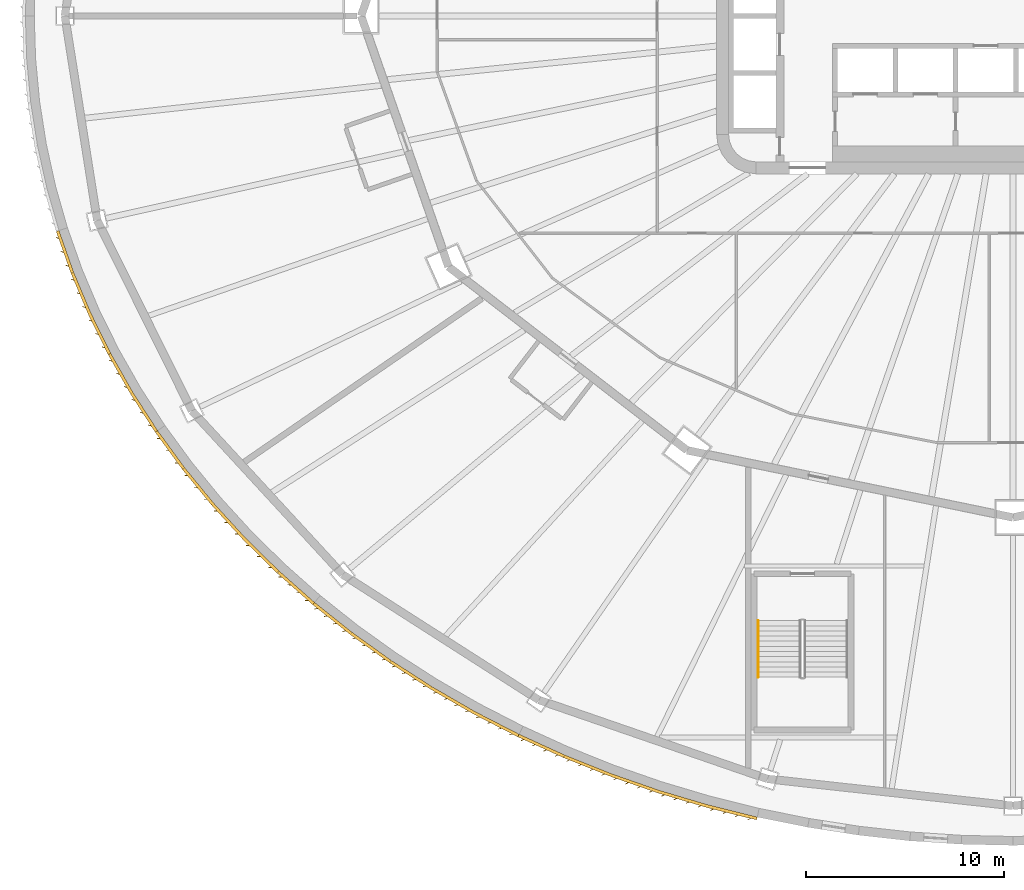
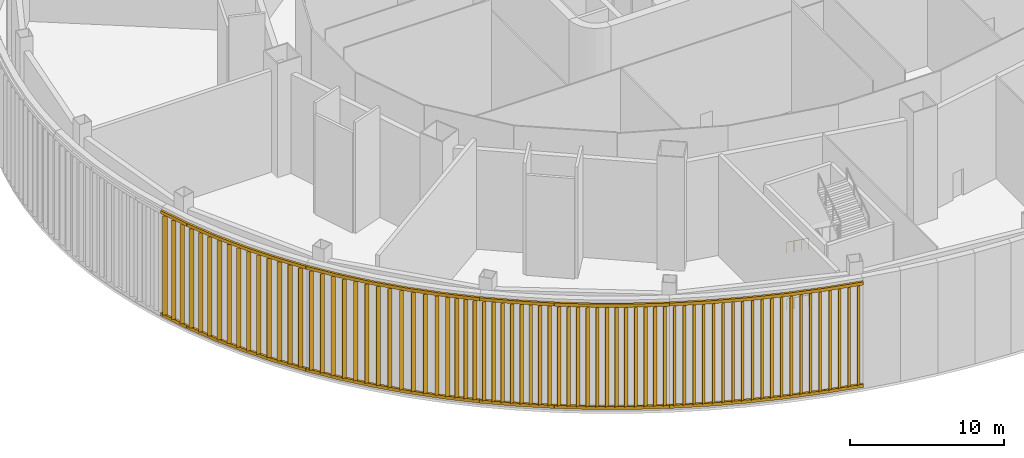
# One storey, part 27 of 35: 4 shading devices, 2 railings.
"""IFC4 building model written with IfcOpenShell, lengths in metres."""

from ifc_helpers import new_model, si_unit, direction, frame, origin, origin_2d, place, context, subcontext, project, spatial, rectangle, circle, extrude, material, type_object, element, save


model = new_model("IFC4")

# Units and contexts
model_context = context("Model", 3, precision=1e-05, world=origin(), true_north=direction((0.0, 1.0)))
body_context = subcontext(model_context, "Body", "Model", "MODEL_VIEW")
ifc_project = project(units=[si_unit("LENGTHUNIT", "METRE"), si_unit("AREAUNIT", "SQUARE_METRE"), si_unit("VOLUMEUNIT", "CUBIC_METRE"), si_unit("PLANEANGLEUNIT", "RADIAN"), si_unit("MASSUNIT", "GRAM", prefix="KILO")], contexts=[model_context])

# Site, building, storey
site_placement = place(None, origin())
site = spatial("IfcSite", under=ifc_project, at=site_placement, CompositionType="ELEMENT")
building_placement = place(site_placement, origin())
building = spatial("IfcBuilding", under=site, at=building_placement, Name="Sahrelin Media Tower", CompositionType="ELEMENT")
storey_placement = place(building_placement, frame((0.0, 0.0, 8.0)))
storey = spatial("IfcBuildingStorey", under=building, at=storey_placement, Name="L01", CompositionType="ELEMENT", Elevation=8.0)

# Railings
ifc_material_1 = material(Name="Steel S355", Category="steel")
railing_type = type_object("IfcRailingType", Name="Stair handrail 900", PredefinedType="HANDRAIL", material=ifc_material_1)
for number, where, name in (
    (1, (-12.89990234375, -30.625, 0.1875), "L01 PS3 stair handrail 1"),
    (2, (-12.89990234375, -30.625, 4.6875), "L01 PS3 stair handrail 3"),
):
    element("IfcRailing", number, at=place(storey_placement, frame(where)), inside=storey, type_object=railing_type, Name=name, PredefinedType="HANDRAIL", context=body_context, shape_type="SweptSolid", body=[
        extrude(circle(Radius=0.02392578125, at=origin_2d()), frame((0.0, 0.0, 0.8759765625), z_axis=(0.0, -0.811100754333, 0.584906459462), x_axis=(1.0, 0.0, 0.0)), (0.0, 0.0, 1.0), 3.526123046875),
        extrude(circle(Radius=0.02099609375, at=origin_2d()), origin(), (0.0, 0.0, 1.0), 0.851806640625),
        extrude(circle(Radius=0.02099609375, at=origin_2d()), frame((0.0, -0.953369140625, 0.6875)), (0.0, 0.0, 1.0), 0.851806640625),
        extrude(circle(Radius=0.02099609375, at=origin_2d()), frame((0.0, -1.90673828125, 1.375)), (0.0, 0.0, 1.0), 0.851806640625),
        extrude(circle(Radius=0.02099609375, at=origin_2d()), frame((0.0, -2.860107421875, 2.0625)), (0.0, 0.0, 1.0), 0.851806640625),
    ])

# Shading devices
ifc_material_2 = material(Name="Champagne anodised aluminium 6063-T6", Category="aluminium")
shading_device_type = type_object("IfcShadingDeviceType", Name="Studio facade screen", PredefinedType="USERDEFINED", material=ifc_material_2)
shading_device_1_placement = place(storey_placement, frame((-48.29638671875, -10.870361328125, 0.0), z_axis=(0.0, 0.0, 1.0), x_axis=(-0.44228697484, 0.896873587462, 0.0)))
element("IfcShadingDevice", 3, at=shading_device_1_placement, inside=storey, type_object=shading_device_type, Name="L01:SCREEN:L01-P13", ObjectType="SCREEN", PredefinedType="USERDEFINED", context=body_context, shape_type="SweptSolid", body=[
    extrude(rectangle(XDim=0.14990234375, YDim=0.25, at=origin_2d()), frame((0.0087890625, 0.074462890625, 0.35009765625), z_axis=(-0.992914515953, 0.118830820961, 0.0), x_axis=(-0.118830820961, -0.992914515953, 0.0)), (0.0, 0.0, 1.0), 2.2353515625),
    extrude(rectangle(XDim=0.14990234375, YDim=0.25, at=origin_2d()), frame((0.0087890625, 0.074462890625, 8.449951171875), z_axis=(-0.992914515953, 0.118830820961, 0.0), x_axis=(-0.118830820961, -0.992914515953, 0.0)), (0.0, 0.0, 1.0), 2.2353515625),
    extrude(rectangle(XDim=0.300048828125, YDim=0.0400390625, at=origin_2d()), frame((-0.35205078125, 0.193115234375, 0.47509765625), z_axis=(0.0, 0.0, 1.0), x_axis=(0.707106781187, 0.707106781187, 0.0)), (0.0, 0.0, 1.0), 7.849853515625),
    extrude(rectangle(XDim=0.300048828125, YDim=0.0400390625, at=origin_2d()), frame((-1.092041015625, 0.28173828125, 0.47509765625), z_axis=(0.0, 0.0, 1.0), x_axis=(0.707106781187, 0.707106781187, 0.0)), (0.0, 0.0, 1.0), 7.849853515625),
    extrude(rectangle(XDim=0.300048828125, YDim=0.0400390625, at=origin_2d()), frame((-1.83203125, 0.370361328125, 0.47509765625), z_axis=(0.0, 0.0, 1.0), x_axis=(0.707106781187, 0.707106781187, 0.0)), (0.0, 0.0, 1.0), 7.849853515625),
    extrude(rectangle(XDim=0.14990234375, YDim=0.25, at=origin_2d()), frame((-2.21533203125, 0.340576171875, 0.35009765625), z_axis=(-0.998255232119, 0.059046520199, 0.0), x_axis=(-0.059046520199, -0.998255232119, 0.0)), (0.0, 0.0, 1.0), 2.249267578125),
    extrude(rectangle(XDim=0.14990234375, YDim=0.25, at=origin_2d()), frame((-2.21533203125, 0.340576171875, 8.449951171875), z_axis=(-0.998255232119, 0.059046520199, 0.0), x_axis=(-0.059046520199, -0.998255232119, 0.0)), (0.0, 0.0, 1.0), 2.249267578125),
    extrude(rectangle(XDim=0.300048828125, YDim=0.0400390625, at=origin_2d()), frame((-2.585205078125, 0.4375, 0.47509765625), z_axis=(0.0, 0.0, 1.0), x_axis=(0.707106781187, 0.707106781187, 0.0)), (0.0, 0.0, 1.0), 7.849853515625),
    extrude(rectangle(XDim=0.300048828125, YDim=0.0400390625, at=origin_2d()), frame((-3.33349609375, 0.481689453125, 0.47509765625), z_axis=(0.0, 0.0, 1.0), x_axis=(0.707106781187, 0.707106781187, 0.0)), (0.0, 0.0, 1.0), 7.849853515625),
    extrude(rectangle(XDim=0.300048828125, YDim=0.0400390625, at=origin_2d()), frame((-4.08203125, 0.526123046875, 0.47509765625), z_axis=(0.0, 0.0, 1.0), x_axis=(0.707106781187, 0.707106781187, 0.0)), (0.0, 0.0, 1.0), 7.849853515625),
    extrude(rectangle(XDim=0.14990234375, YDim=0.25, at=origin_2d()), frame((-4.465087890625, 0.4736328125, 0.35009765625), z_axis=(-1.0, 0.0, 0.0), x_axis=(0.0, -1.0, 0.0)), (0.0, 0.0, 1.0), 2.26513671875),
    extrude(rectangle(XDim=0.14990234375, YDim=0.25, at=origin_2d()), frame((-4.465087890625, 0.4736328125, 8.449951171875), z_axis=(-1.0, 0.0, 0.0), x_axis=(0.0, -1.0, 0.0)), (0.0, 0.0, 1.0), 2.26513671875),
    extrude(rectangle(XDim=0.300048828125, YDim=0.0400390625, at=origin_2d()), frame((-4.8427734375, 0.548583984375, 0.47509765625), z_axis=(0.0, 0.0, 1.0), x_axis=(0.707106781187, 0.707106781187, 0.0)), (0.0, 0.0, 1.0), 7.849853515625),
    extrude(rectangle(XDim=0.300048828125, YDim=0.0400390625, at=origin_2d()), frame((-5.59765625, 0.548583984375, 0.47509765625), z_axis=(0.0, 0.0, 1.0), x_axis=(0.707106781187, 0.707106781187, 0.0)), (0.0, 0.0, 1.0), 7.849853515625),
    extrude(rectangle(XDim=0.300048828125, YDim=0.0400390625, at=origin_2d()), frame((-6.352783203125, 0.548583984375, 0.47509765625), z_axis=(0.0, 0.0, 1.0), x_axis=(0.707106781187, 0.707106781187, 0.0)), (0.0, 0.0, 1.0), 7.849853515625),
    extrude(rectangle(XDim=0.14990234375, YDim=0.25, at=origin_2d()), frame((-6.734619140625, 0.473388671875, 0.35009765625), z_axis=(-0.998305220506, -0.058195246459, 0.0), x_axis=(0.058195246459, -0.998305220506, 0.0)), (0.0, 0.0, 1.0), 2.2822265625),
    extrude(rectangle(XDim=0.14990234375, YDim=0.25, at=origin_2d()), frame((-6.734619140625, 0.473388671875, 8.449951171875), z_axis=(-0.998305220506, -0.058195246459, 0.0), x_axis=(0.058195246459, -0.998305220506, 0.0)), (0.0, 0.0, 1.0), 2.2822265625),
    extrude(rectangle(XDim=0.300048828125, YDim=0.0400390625, at=origin_2d()), frame((-7.11865234375, 0.526123046875, 0.47509765625), z_axis=(0.0, 0.0, 1.0), x_axis=(0.707106781187, 0.707106781187, 0.0)), (0.0, 0.0, 1.0), 7.849853515625),
    extrude(rectangle(XDim=0.300048828125, YDim=0.0400390625, at=origin_2d()), frame((-7.878173828125, 0.481689453125, 0.47509765625), z_axis=(0.0, 0.0, 1.0), x_axis=(0.707106781187, 0.707106781187, 0.0)), (0.0, 0.0, 1.0), 7.849853515625),
    extrude(rectangle(XDim=0.300048828125, YDim=0.0400390625, at=origin_2d()), frame((-8.6376953125, 0.4375, 0.47509765625), z_axis=(0.0, 0.0, 1.0), x_axis=(0.707106781187, 0.707106781187, 0.0)), (0.0, 0.0, 1.0), 7.849853515625),
    extrude(rectangle(XDim=0.14990234375, YDim=0.25, at=origin_2d()), frame((-9.017333984375, 0.340087890625, 0.35009765625), z_axis=(-0.993314738525, -0.115437559871, 0.0), x_axis=(0.115437559871, -0.993314738525, 0.0)), (0.0, 0.0, 1.0), 2.301025390625),
    extrude(rectangle(XDim=0.14990234375, YDim=0.25, at=origin_2d()), frame((-9.017333984375, 0.340087890625, 8.449951171875), z_axis=(-0.993314738525, -0.115437559871, 0.0), x_axis=(0.115437559871, -0.993314738525, 0.0)), (0.0, 0.0, 1.0), 2.301025390625),
    extrude(rectangle(XDim=0.300048828125, YDim=0.0400390625, at=origin_2d()), frame((-9.406982421875, 0.370361328125, 0.47509765625), z_axis=(0.0, 0.0, 1.0), x_axis=(0.707106781187, 0.707106781187, 0.0)), (0.0, 0.0, 1.0), 7.849853515625),
    extrude(rectangle(XDim=0.300048828125, YDim=0.0400390625, at=origin_2d()), frame((-10.168701171875, 0.28173828125, 0.47509765625), z_axis=(0.0, 0.0, 1.0), x_axis=(0.707106781187, 0.707106781187, 0.0)), (0.0, 0.0, 1.0), 7.849853515625),
    extrude(rectangle(XDim=0.300048828125, YDim=0.0400390625, at=origin_2d()), frame((-10.9306640625, 0.193359375, 0.47509765625), z_axis=(0.0, 0.0, 1.0), x_axis=(0.707106781187, 0.707106781187, 0.0)), (0.0, 0.0, 1.0), 7.849853515625),
])
shading_device_2_placement = place(storey_placement, frame((-43.30126953125, -21.0, 0.0), z_axis=(0.0, 0.0, 1.0), x_axis=(-0.674432963717, 0.738336087058, 0.0)))
element("IfcShadingDevice", 4, at=shading_device_2_placement, inside=storey, type_object=shading_device_type, Name="L01:SCREEN:L01-P14", ObjectType="SCREEN", PredefinedType="USERDEFINED", context=body_context, shape_type="SweptSolid", body=[
    extrude(rectangle(XDim=0.14990234375, YDim=0.25, at=origin_2d()), frame((0.00830078125, 0.074462890625, 0.35009765625), z_axis=(-0.993963012616, 0.109715675961, 0.0), x_axis=(-0.109715675961, -0.993963012616, 0.0)), (0.0, 0.0, 1.0), 2.32080078125),
    extrude(rectangle(XDim=0.14990234375, YDim=0.25, at=origin_2d()), frame((0.00830078125, 0.074462890625, 8.449951171875), z_axis=(-0.993963012616, 0.109715675961, 0.0), x_axis=(-0.109715675961, -0.993963012616, 0.0)), (0.0, 0.0, 1.0), 2.32080078125),
    extrude(rectangle(XDim=0.300048828125, YDim=0.0400390625, at=origin_2d()), frame((-0.367919921875, 0.19140625, 0.47509765625), z_axis=(0.0, 0.0, 1.0), x_axis=(0.707106781187, 0.707106781187, 0.0)), (0.0, 0.0, 1.0), 7.849853515625),
    extrude(rectangle(XDim=0.300048828125, YDim=0.0400390625, at=origin_2d()), frame((-1.136962890625, 0.2763671875, 0.47509765625), z_axis=(0.0, 0.0, 1.0), x_axis=(0.707106781187, 0.707106781187, 0.0)), (0.0, 0.0, 1.0), 7.849853515625),
    extrude(rectangle(XDim=0.300048828125, YDim=0.0400390625, at=origin_2d()), frame((-1.90576171875, 0.361083984375, 0.47509765625), z_axis=(0.0, 0.0, 1.0), x_axis=(0.707106781187, 0.707106781187, 0.0)), (0.0, 0.0, 1.0), 7.849853515625),
    extrude(rectangle(XDim=0.14990234375, YDim=0.25, at=origin_2d()), frame((-2.302490234375, 0.32958984375, 0.35009765625), z_axis=(-0.998517872109, 0.054424802051, 0.0), x_axis=(-0.054424802051, -0.998517872109, 0.0)), (0.0, 0.0, 1.0), 2.341552734375),
    extrude(rectangle(XDim=0.14990234375, YDim=0.25, at=origin_2d()), frame((-2.302490234375, 0.32958984375, 8.449951171875), z_axis=(-0.998517872109, 0.054424802051, 0.0), x_axis=(-0.054424802051, -0.998517872109, 0.0)), (0.0, 0.0, 1.0), 2.341552734375),
    extrude(rectangle(XDim=0.300048828125, YDim=0.0400390625, at=origin_2d()), frame((-2.688232421875, 0.425537109375, 0.47509765625), z_axis=(0.0, 0.0, 1.0), x_axis=(0.707106781187, 0.707106781187, 0.0)), (0.0, 0.0, 1.0), 7.849853515625),
    extrude(rectangle(XDim=0.300048828125, YDim=0.0400390625, at=origin_2d()), frame((-3.467529296875, 0.468017578125, 0.47509765625), z_axis=(0.0, 0.0, 1.0), x_axis=(0.707106781187, 0.707106781187, 0.0)), (0.0, 0.0, 1.0), 7.849853515625),
    extrude(rectangle(XDim=0.300048828125, YDim=0.0400390625, at=origin_2d()), frame((-4.246826171875, 0.510498046875, 0.47509765625), z_axis=(0.0, 0.0, 1.0), x_axis=(0.707106781187, 0.707106781187, 0.0)), (0.0, 0.0, 1.0), 7.849853515625),
    extrude(rectangle(XDim=0.14990234375, YDim=0.25, at=origin_2d()), frame((-4.644775390625, 0.45703125, 0.35009765625), z_axis=(-0.999999994661, 0.000103337811, 0.0), x_axis=(-0.000103337811, -0.999999994661, 0.0)), (0.0, 0.0, 1.0), 2.362548828125),
    extrude(rectangle(XDim=0.14990234375, YDim=0.25, at=origin_2d()), frame((-4.644775390625, 0.45703125, 8.449951171875), z_axis=(-0.999999994661, 0.000103337811, 0.0), x_axis=(-0.000103337811, -0.999999994661, 0.0)), (0.0, 0.0, 1.0), 2.362548828125),
    extrude(rectangle(XDim=0.300048828125, YDim=0.0400390625, at=origin_2d()), frame((-5.03857421875, 0.531982421875, 0.47509765625), z_axis=(0.0, 0.0, 1.0), x_axis=(0.707106781187, 0.707106781187, 0.0)), (0.0, 0.0, 1.0), 7.849853515625),
    extrude(rectangle(XDim=0.300048828125, YDim=0.0400390625, at=origin_2d()), frame((-5.826171875, 0.531982421875, 0.47509765625), z_axis=(0.0, 0.0, 1.0), x_axis=(0.707106781187, 0.707106781187, 0.0)), (0.0, 0.0, 1.0), 7.849853515625),
    extrude(rectangle(XDim=0.300048828125, YDim=0.0400390625, at=origin_2d()), frame((-6.61376953125, 0.5322265625, 0.47509765625), z_axis=(0.0, 0.0, 1.0), x_axis=(0.707106781187, 0.707106781187, 0.0)), (0.0, 0.0, 1.0), 7.849853515625),
    extrude(rectangle(XDim=0.14990234375, YDim=0.25, at=origin_2d()), frame((-7.011474609375, 0.45703125, 0.35009765625), z_axis=(-0.998570768026, -0.053445497889, 0.0), x_axis=(0.053445497889, -0.998570768026, 0.0)), (0.0, 0.0, 1.0), 2.384521484375),
    extrude(rectangle(XDim=0.14990234375, YDim=0.25, at=origin_2d()), frame((-7.011474609375, 0.45703125, 8.449951171875), z_axis=(-0.998570768026, -0.053445497889, 0.0), x_axis=(0.053445497889, -0.998570768026, 0.0)), (0.0, 0.0, 1.0), 2.384521484375),
    extrude(rectangle(XDim=0.300048828125, YDim=0.0400390625, at=origin_2d()), frame((-7.412353515625, 0.5107421875, 0.47509765625), z_axis=(0.0, 0.0, 1.0), x_axis=(0.707106781187, 0.707106781187, 0.0)), (0.0, 0.0, 1.0), 7.849853515625),
    extrude(rectangle(XDim=0.300048828125, YDim=0.0400390625, at=origin_2d()), frame((-8.2060546875, 0.46826171875, 0.47509765625), z_axis=(0.0, 0.0, 1.0), x_axis=(0.707106781187, 0.707106781187, 0.0)), (0.0, 0.0, 1.0), 7.849853515625),
    extrude(rectangle(XDim=0.300048828125, YDim=0.0400390625, at=origin_2d()), frame((-8.999755859375, 0.42578125, 0.47509765625), z_axis=(0.0, 0.0, 1.0), x_axis=(0.707106781187, 0.707106781187, 0.0)), (0.0, 0.0, 1.0), 7.849853515625),
    extrude(rectangle(XDim=0.14990234375, YDim=0.25, at=origin_2d()), frame((-9.396484375, 0.3291015625, 0.35009765625), z_axis=(-0.994395950407, -0.105719883718, 0.0), x_axis=(0.105719883718, -0.994395950407, 0.0)), (0.0, 0.0, 1.0), 2.40625),
    extrude(rectangle(XDim=0.14990234375, YDim=0.25, at=origin_2d()), frame((-9.396484375, 0.3291015625, 8.449951171875), z_axis=(-0.994395950407, -0.105719883718, 0.0), x_axis=(0.105719883718, -0.994395950407, 0.0)), (0.0, 0.0, 1.0), 2.40625),
    extrude(rectangle(XDim=0.300048828125, YDim=0.0400390625, at=origin_2d()), frame((-9.70361328125, 0.3720703125, 0.47509765625), z_axis=(0.0, 0.0, 1.0), x_axis=(0.707106781187, 0.707106781187, 0.0)), (0.0, 0.0, 1.0), 7.849853515625),
    extrude(rectangle(XDim=0.300048828125, YDim=0.0400390625, at=origin_2d()), frame((-10.3017578125, 0.308349609375, 0.47509765625), z_axis=(0.0, 0.0, 1.0), x_axis=(0.707106781187, 0.707106781187, 0.0)), (0.0, 0.0, 1.0), 7.849853515625),
    extrude(rectangle(XDim=0.300048828125, YDim=0.0400390625, at=origin_2d()), frame((-10.89990234375, 0.24462890625, 0.47509765625), z_axis=(0.0, 0.0, 1.0), x_axis=(0.707106781187, 0.707106781187, 0.0)), (0.0, 0.0, 1.0), 7.849853515625),
    extrude(rectangle(XDim=0.300048828125, YDim=0.0400390625, at=origin_2d()), frame((-11.498291015625, 0.180908203125, 0.47509765625), z_axis=(0.0, 0.0, 1.0), x_axis=(0.707106781187, 0.707106781187, 0.0)), (0.0, 0.0, 1.0), 7.849853515625),
])
shading_device_3_placement = place(storey_placement, frame((-35.355224609375, -29.698486328125, 0.0), z_axis=(0.0, 0.0, 1.0), x_axis=(-0.840505257377, 0.541803388991, 0.0)))
element("IfcShadingDevice", 5, at=shading_device_3_placement, inside=storey, type_object=shading_device_type, Name="L01:SCREEN:L01-P15", ObjectType="SCREEN", PredefinedType="USERDEFINED", context=body_context, shape_type="SweptSolid", body=[
    extrude(rectangle(XDim=0.14990234375, YDim=0.25, at=origin_2d()), frame((0.007568359375, 0.07470703125, 0.35009765625), z_axis=(-0.994963253127, 0.100240335829, 0.0), x_axis=(-0.100240335829, -0.994963253127, 0.0)), (0.0, 0.0, 1.0), 2.42822265625),
    extrude(rectangle(XDim=0.14990234375, YDim=0.25, at=origin_2d()), frame((0.007568359375, 0.07470703125, 8.449951171875), z_axis=(-0.994963253127, 0.100240335829, 0.0), x_axis=(-0.100240335829, -0.994963253127, 0.0)), (0.0, 0.0, 1.0), 2.42822265625),
    extrude(rectangle(XDim=0.300048828125, YDim=0.0400390625, at=origin_2d()), frame((-0.287109375, 0.1796875, 0.47509765625), z_axis=(0.0, 0.0, 1.0), x_axis=(0.707106781187, 0.707106781187, 0.0)), (0.0, 0.0, 1.0), 7.849853515625),
    extrude(rectangle(XDim=0.300048828125, YDim=0.0400390625, at=origin_2d()), frame((-0.89111328125, 0.240478515625, 0.47509765625), z_axis=(0.0, 0.0, 1.0), x_axis=(0.707106781187, 0.707106781187, 0.0)), (0.0, 0.0, 1.0), 7.849853515625),
    extrude(rectangle(XDim=0.300048828125, YDim=0.0400390625, at=origin_2d()), frame((-1.4951171875, 0.301513671875, 0.47509765625), z_axis=(0.0, 0.0, 1.0), x_axis=(0.707106781187, 0.707106781187, 0.0)), (0.0, 0.0, 1.0), 7.849853515625),
    extrude(rectangle(XDim=0.300048828125, YDim=0.0400390625, at=origin_2d()), frame((-2.09912109375, 0.3623046875, 0.47509765625), z_axis=(0.0, 0.0, 1.0), x_axis=(0.707106781187, 0.707106781187, 0.0)), (0.0, 0.0, 1.0), 7.849853515625),
    extrude(rectangle(XDim=0.14990234375, YDim=0.25, at=origin_2d()), frame((-2.412353515625, 0.318359375, 0.35009765625), z_axis=(-0.99876250847, 0.049733808175, 0.0), x_axis=(-0.049733808175, -0.99876250847, 0.0)), (0.0, 0.0, 1.0), 2.449462890625),
    extrude(rectangle(XDim=0.14990234375, YDim=0.25, at=origin_2d()), frame((-2.412353515625, 0.318359375, 8.449951171875), z_axis=(-0.99876250847, 0.049733808175, 0.0), x_axis=(-0.049733808175, -0.99876250847, 0.0)), (0.0, 0.0, 1.0), 2.449462890625),
    extrude(rectangle(XDim=0.300048828125, YDim=0.0400390625, at=origin_2d()), frame((-2.71435546875, 0.40869140625, 0.47509765625), z_axis=(0.0, 0.0, 1.0), x_axis=(0.707106781187, 0.707106781187, 0.0)), (0.0, 0.0, 1.0), 7.849853515625),
    extrude(rectangle(XDim=0.300048828125, YDim=0.0400390625, at=origin_2d()), frame((-3.326171875, 0.43896484375, 0.47509765625), z_axis=(0.0, 0.0, 1.0), x_axis=(0.707106781187, 0.707106781187, 0.0)), (0.0, 0.0, 1.0), 7.849853515625),
    extrude(rectangle(XDim=0.300048828125, YDim=0.0400390625, at=origin_2d()), frame((-3.937744140625, 0.469482421875, 0.47509765625), z_axis=(0.0, 0.0, 1.0), x_axis=(0.707106781187, 0.707106781187, 0.0)), (0.0, 0.0, 1.0), 7.849853515625),
    extrude(rectangle(XDim=0.300048828125, YDim=0.0400390625, at=origin_2d()), frame((-4.54931640625, 0.5, 0.47509765625), z_axis=(0.0, 0.0, 1.0), x_axis=(0.707106781187, 0.707106781187, 0.0)), (0.0, 0.0, 1.0), 7.849853515625),
    extrude(rectangle(XDim=0.14990234375, YDim=0.25, at=origin_2d()), frame((-4.86279296875, 0.4404296875, 0.35009765625), z_axis=(-1.0, 0.0, 0.0), x_axis=(0.0, -1.0, 0.0)), (0.0, 0.0, 1.0), 2.470703125),
    extrude(rectangle(XDim=0.14990234375, YDim=0.25, at=origin_2d()), frame((-4.86279296875, 0.4404296875, 8.449951171875), z_axis=(-1.0, 0.0, 0.0), x_axis=(0.0, -1.0, 0.0)), (0.0, 0.0, 1.0), 2.470703125),
    extrude(rectangle(XDim=0.300048828125, YDim=0.0400390625, at=origin_2d()), frame((-5.171630859375, 0.515380859375, 0.47509765625), z_axis=(0.0, 0.0, 1.0), x_axis=(0.707106781187, 0.707106781187, 0.0)), (0.0, 0.0, 1.0), 7.849853515625),
    extrude(rectangle(XDim=0.300048828125, YDim=0.0400390625, at=origin_2d()), frame((-5.789306640625, 0.515380859375, 0.47509765625), z_axis=(0.0, 0.0, 1.0), x_axis=(0.707106781187, 0.707106781187, 0.0)), (0.0, 0.0, 1.0), 7.849853515625),
    extrude(rectangle(XDim=0.300048828125, YDim=0.0400390625, at=origin_2d()), frame((-6.406982421875, 0.515380859375, 0.47509765625), z_axis=(0.0, 0.0, 1.0), x_axis=(0.707106781187, 0.707106781187, 0.0)), (0.0, 0.0, 1.0), 7.849853515625),
    extrude(rectangle(XDim=0.300048828125, YDim=0.0400390625, at=origin_2d()), frame((-7.024658203125, 0.515380859375, 0.47509765625), z_axis=(0.0, 0.0, 1.0), x_axis=(0.707106781187, 0.707106781187, 0.0)), (0.0, 0.0, 1.0), 7.849853515625),
    extrude(rectangle(XDim=0.14990234375, YDim=0.25, at=origin_2d()), frame((-7.337158203125, 0.440185546875, 0.35009765625), z_axis=(-0.99880815952, -0.048808405793, 0.0), x_axis=(0.048808405793, -0.99880815952, 0.0)), (0.0, 0.0, 1.0), 2.490966796875),
    extrude(rectangle(XDim=0.14990234375, YDim=0.25, at=origin_2d()), frame((-7.337158203125, 0.440185546875, 8.449951171875), z_axis=(-0.99880815952, -0.048808405793, 0.0), x_axis=(0.048808405793, -0.99880815952, 0.0)), (0.0, 0.0, 1.0), 2.490966796875),
    extrude(rectangle(XDim=0.300048828125, YDim=0.0400390625, at=origin_2d()), frame((-7.65185546875, 0.5, 0.47509765625), z_axis=(0.0, 0.0, 1.0), x_axis=(0.707106781187, 0.707106781187, 0.0)), (0.0, 0.0, 1.0), 7.849853515625),
    extrude(rectangle(XDim=0.300048828125, YDim=0.0400390625, at=origin_2d()), frame((-8.273681640625, 0.469482421875, 0.47509765625), z_axis=(0.0, 0.0, 1.0), x_axis=(0.707106781187, 0.707106781187, 0.0)), (0.0, 0.0, 1.0), 7.849853515625),
    extrude(rectangle(XDim=0.300048828125, YDim=0.0400390625, at=origin_2d()), frame((-8.895751953125, 0.439208984375, 0.47509765625), z_axis=(0.0, 0.0, 1.0), x_axis=(0.707106781187, 0.707106781187, 0.0)), (0.0, 0.0, 1.0), 7.849853515625),
    extrude(rectangle(XDim=0.300048828125, YDim=0.0400390625, at=origin_2d()), frame((-9.517822265625, 0.40869140625, 0.47509765625), z_axis=(0.0, 0.0, 1.0), x_axis=(0.707106781187, 0.707106781187, 0.0)), (0.0, 0.0, 1.0), 7.849853515625),
    extrude(rectangle(XDim=0.14990234375, YDim=0.25, at=origin_2d()), frame((-9.828857421875, 0.318115234375, 0.35009765625), z_axis=(-0.995288149156, -0.096961333272, 0.0), x_axis=(0.096961333272, -0.995288149156, 0.0)), (0.0, 0.0, 1.0), 2.51025390625),
    extrude(rectangle(XDim=0.14990234375, YDim=0.25, at=origin_2d()), frame((-9.828857421875, 0.318115234375, 8.449951171875), z_axis=(-0.995288149156, -0.096961333272, 0.0), x_axis=(0.096961333272, -0.995288149156, 0.0)), (0.0, 0.0, 1.0), 2.51025390625),
    extrude(rectangle(XDim=0.300048828125, YDim=0.0400390625, at=origin_2d()), frame((-10.1484375, 0.3623046875, 0.47509765625), z_axis=(0.0, 0.0, 1.0), x_axis=(0.707106781187, 0.707106781187, 0.0)), (0.0, 0.0, 1.0), 7.849853515625),
    extrude(rectangle(XDim=0.300048828125, YDim=0.0400390625, at=origin_2d()), frame((-10.77294921875, 0.301513671875, 0.47509765625), z_axis=(0.0, 0.0, 1.0), x_axis=(0.707106781187, 0.707106781187, 0.0)), (0.0, 0.0, 1.0), 7.849853515625),
    extrude(rectangle(XDim=0.300048828125, YDim=0.0400390625, at=origin_2d()), frame((-11.397705078125, 0.240478515625, 0.47509765625), z_axis=(0.0, 0.0, 1.0), x_axis=(0.707106781187, 0.707106781187, 0.0)), (0.0, 0.0, 1.0), 7.849853515625),
    extrude(rectangle(XDim=0.300048828125, YDim=0.0400390625, at=origin_2d()), frame((-12.022216796875, 0.1796875, 0.47509765625), z_axis=(0.0, 0.0, 1.0), x_axis=(0.707106781187, 0.707106781187, 0.0)), (0.0, 0.0, 1.0), 7.849853515625),
])
shading_device_4_placement = place(storey_placement, frame((-25.0, -36.373046875, 0.0), z_axis=(0.0, 0.0, 1.0), x_axis=(-0.944472511528, 0.328590436515, 0.0)))
element("IfcShadingDevice", 6, at=shading_device_4_placement, inside=storey, type_object=shading_device_type, Name="L01:SCREEN:L01-P16", ObjectType="SCREEN", PredefinedType="USERDEFINED", context=body_context, shape_type="SweptSolid", body=[
    extrude(rectangle(XDim=0.14990234375, YDim=0.25, at=origin_2d()), frame((0.007080078125, 0.07470703125, 0.35009765625), z_axis=(-0.995676744861, 0.092886057851, 0.0), x_axis=(-0.092886057851, -0.995676744861, 0.0)), (0.0, 0.0, 1.0), 2.528564453125),
    extrude(rectangle(XDim=0.14990234375, YDim=0.25, at=origin_2d()), frame((0.007080078125, 0.07470703125, 8.449951171875), z_axis=(-0.995676744861, 0.092886057851, 0.0), x_axis=(-0.092886057851, -0.995676744861, 0.0)), (0.0, 0.0, 1.0), 2.528564453125),
    extrude(rectangle(XDim=0.300048828125, YDim=0.0400390625, at=origin_2d()), frame((-0.30078125, 0.1787109375, 0.47509765625), z_axis=(0.0, 0.0, 1.0), x_axis=(0.707106781187, 0.707106781187, 0.0)), (0.0, 0.0, 1.0), 7.849853515625),
    extrude(rectangle(XDim=0.300048828125, YDim=0.0400390625, at=origin_2d()), frame((-0.93017578125, 0.237548828125, 0.47509765625), z_axis=(0.0, 0.0, 1.0), x_axis=(0.707106781187, 0.707106781187, 0.0)), (0.0, 0.0, 1.0), 7.849853515625),
    extrude(rectangle(XDim=0.300048828125, YDim=0.0400390625, at=origin_2d()), frame((-1.5595703125, 0.296142578125, 0.47509765625), z_axis=(0.0, 0.0, 1.0), x_axis=(0.707106781187, 0.707106781187, 0.0)), (0.0, 0.0, 1.0), 7.849853515625),
    extrude(rectangle(XDim=0.300048828125, YDim=0.0400390625, at=origin_2d()), frame((-2.18896484375, 0.35498046875, 0.47509765625), z_axis=(0.0, 0.0, 1.0), x_axis=(0.707106781187, 0.707106781187, 0.0)), (0.0, 0.0, 1.0), 7.849853515625),
    extrude(rectangle(XDim=0.14990234375, YDim=0.25, at=origin_2d()), frame((-2.51416015625, 0.309814453125, 0.35009765625), z_axis=(-0.998930620484, 0.046234353666, 0.0), x_axis=(-0.046234353666, -0.998930620484, 0.0)), (0.0, 0.0, 1.0), 2.545166015625),
    extrude(rectangle(XDim=0.14990234375, YDim=0.25, at=origin_2d()), frame((-2.51416015625, 0.309814453125, 8.449951171875), z_axis=(-0.998930620484, 0.046234353666, 0.0), x_axis=(-0.046234353666, -0.998930620484, 0.0)), (0.0, 0.0, 1.0), 2.545166015625),
    extrude(rectangle(XDim=0.300048828125, YDim=0.0400390625, at=origin_2d()), frame((-2.828369140625, 0.3994140625, 0.47509765625), z_axis=(0.0, 0.0, 1.0), x_axis=(0.707106781187, 0.707106781187, 0.0)), (0.0, 0.0, 1.0), 7.849853515625),
    extrude(rectangle(XDim=0.300048828125, YDim=0.0400390625, at=origin_2d()), frame((-3.464111328125, 0.428955078125, 0.47509765625), z_axis=(0.0, 0.0, 1.0), x_axis=(0.707106781187, 0.707106781187, 0.0)), (0.0, 0.0, 1.0), 7.849853515625),
    extrude(rectangle(XDim=0.300048828125, YDim=0.0400390625, at=origin_2d()), frame((-4.099609375, 0.458251953125, 0.47509765625), z_axis=(0.0, 0.0, 1.0), x_axis=(0.707106781187, 0.707106781187, 0.0)), (0.0, 0.0, 1.0), 7.849853515625),
    extrude(rectangle(XDim=0.300048828125, YDim=0.0400390625, at=origin_2d()), frame((-4.7353515625, 0.48779296875, 0.47509765625), z_axis=(0.0, 0.0, 1.0), x_axis=(0.707106781187, 0.707106781187, 0.0)), (0.0, 0.0, 1.0), 7.849853515625),
    extrude(rectangle(XDim=0.14990234375, YDim=0.25, at=origin_2d()), frame((-5.06005859375, 0.427490234375, 0.35009765625), z_axis=(-1.0, 0.0, 0.0), x_axis=(0.0, -1.0, 0.0)), (0.0, 0.0, 1.0), 2.560546875),
    extrude(rectangle(XDim=0.14990234375, YDim=0.25, at=origin_2d()), frame((-5.06005859375, 0.427490234375, 8.449951171875), z_axis=(-1.0, 0.0, 0.0), x_axis=(0.0, -1.0, 0.0)), (0.0, 0.0, 1.0), 2.560546875),
    extrude(rectangle(XDim=0.300048828125, YDim=0.0400390625, at=origin_2d()), frame((-5.380126953125, 0.502685546875, 0.47509765625), z_axis=(0.0, 0.0, 1.0), x_axis=(0.707106781187, 0.707106781187, 0.0)), (0.0, 0.0, 1.0), 7.849853515625),
    extrude(rectangle(XDim=0.300048828125, YDim=0.0400390625, at=origin_2d()), frame((-6.020263671875, 0.502685546875, 0.47509765625), z_axis=(0.0, 0.0, 1.0), x_axis=(0.707106781187, 0.707106781187, 0.0)), (0.0, 0.0, 1.0), 7.849853515625),
    extrude(rectangle(XDim=0.300048828125, YDim=0.0400390625, at=origin_2d()), frame((-6.660400390625, 0.502685546875, 0.47509765625), z_axis=(0.0, 0.0, 1.0), x_axis=(0.707106781187, 0.707106781187, 0.0)), (0.0, 0.0, 1.0), 7.849853515625),
    extrude(rectangle(XDim=0.300048828125, YDim=0.0400390625, at=origin_2d()), frame((-7.300537109375, 0.502685546875, 0.47509765625), z_axis=(0.0, 0.0, 1.0), x_axis=(0.707106781187, 0.707106781187, 0.0)), (0.0, 0.0, 1.0), 7.849853515625),
    extrude(rectangle(XDim=0.14990234375, YDim=0.25, at=origin_2d()), frame((-7.6240234375, 0.427490234375, 0.35009765625), z_axis=(-0.998954807811, -0.045708773245, 0.0), x_axis=(0.045708773245, -0.998954807811, 0.0)), (0.0, 0.0, 1.0), 2.574462890625),
    extrude(rectangle(XDim=0.14990234375, YDim=0.25, at=origin_2d()), frame((-7.6240234375, 0.427490234375, 8.449951171875), z_axis=(-0.998954807811, -0.045708773245, 0.0), x_axis=(0.045708773245, -0.998954807811, 0.0)), (0.0, 0.0, 1.0), 2.574462890625),
    extrude(rectangle(XDim=0.300048828125, YDim=0.0400390625, at=origin_2d()), frame((-7.948974609375, 0.48779296875, 0.47509765625), z_axis=(0.0, 0.0, 1.0), x_axis=(0.707106781187, 0.707106781187, 0.0)), (0.0, 0.0, 1.0), 7.849853515625),
    extrude(rectangle(XDim=0.300048828125, YDim=0.0400390625, at=origin_2d()), frame((-8.592041015625, 0.458251953125, 0.47509765625), z_axis=(0.0, 0.0, 1.0), x_axis=(0.707106781187, 0.707106781187, 0.0)), (0.0, 0.0, 1.0), 7.849853515625),
    extrude(rectangle(XDim=0.300048828125, YDim=0.0400390625, at=origin_2d()), frame((-9.23486328125, 0.428955078125, 0.47509765625), z_axis=(0.0, 0.0, 1.0), x_axis=(0.707106781187, 0.707106781187, 0.0)), (0.0, 0.0, 1.0), 7.849853515625),
    extrude(rectangle(XDim=0.300048828125, YDim=0.0400390625, at=origin_2d()), frame((-9.877685546875, 0.3994140625, 0.47509765625), z_axis=(0.0, 0.0, 1.0), x_axis=(0.707106781187, 0.707106781187, 0.0)), (0.0, 0.0, 1.0), 7.849853515625),
    extrude(rectangle(XDim=0.14990234375, YDim=0.25, at=origin_2d()), frame((-10.19921875, 0.3095703125, 0.35009765625), z_axis=(-0.995868409854, -0.090808095761, 0.0), x_axis=(0.090808095761, -0.995868409854, 0.0)), (0.0, 0.0, 1.0), 2.58642578125),
    extrude(rectangle(XDim=0.14990234375, YDim=0.25, at=origin_2d()), frame((-10.19921875, 0.3095703125, 8.449951171875), z_axis=(-0.995868409854, -0.090808095761, 0.0), x_axis=(0.090808095761, -0.995868409854, 0.0)), (0.0, 0.0, 1.0), 2.58642578125),
    extrude(rectangle(XDim=0.300048828125, YDim=0.0400390625, at=origin_2d()), frame((-10.528076171875, 0.35498046875, 0.47509765625), z_axis=(0.0, 0.0, 1.0), x_axis=(0.707106781187, 0.707106781187, 0.0)), (0.0, 0.0, 1.0), 7.849853515625),
    extrude(rectangle(XDim=0.300048828125, YDim=0.0400390625, at=origin_2d()), frame((-11.171875, 0.296142578125, 0.47509765625), z_axis=(0.0, 0.0, 1.0), x_axis=(0.707106781187, 0.707106781187, 0.0)), (0.0, 0.0, 1.0), 7.849853515625),
    extrude(rectangle(XDim=0.300048828125, YDim=0.0400390625, at=origin_2d()), frame((-11.81591796875, 0.237548828125, 0.47509765625), z_axis=(0.0, 0.0, 1.0), x_axis=(0.707106781187, 0.707106781187, 0.0)), (0.0, 0.0, 1.0), 7.849853515625),
    extrude(rectangle(XDim=0.300048828125, YDim=0.0400390625, at=origin_2d()), frame((-12.459716796875, 0.1787109375, 0.47509765625), z_axis=(0.0, 0.0, 1.0), x_axis=(0.707106781187, 0.707106781187, 0.0)), (0.0, 0.0, 1.0), 7.849853515625),
])

save(model, "model.ifc")
